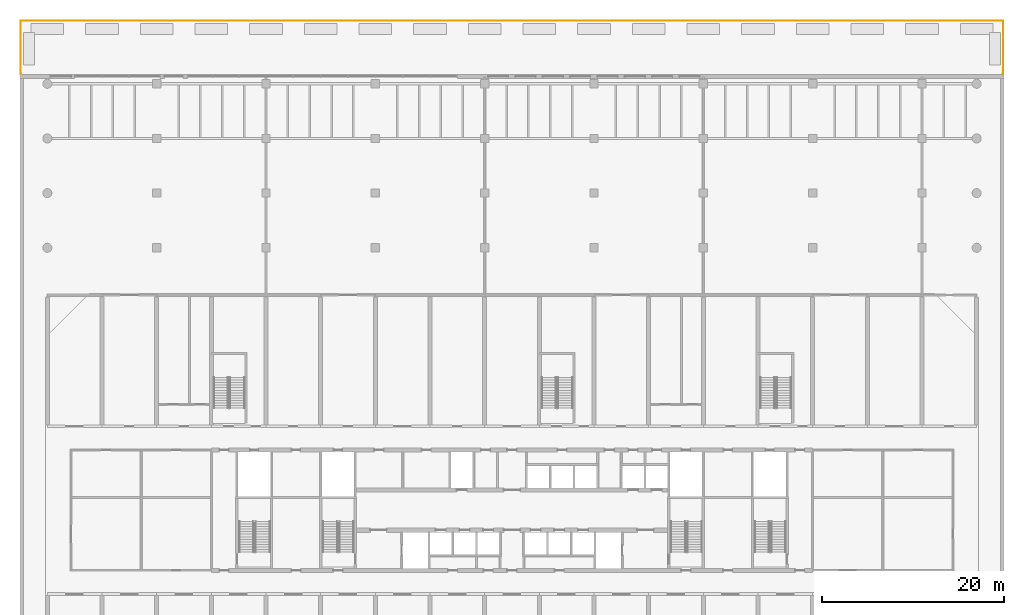
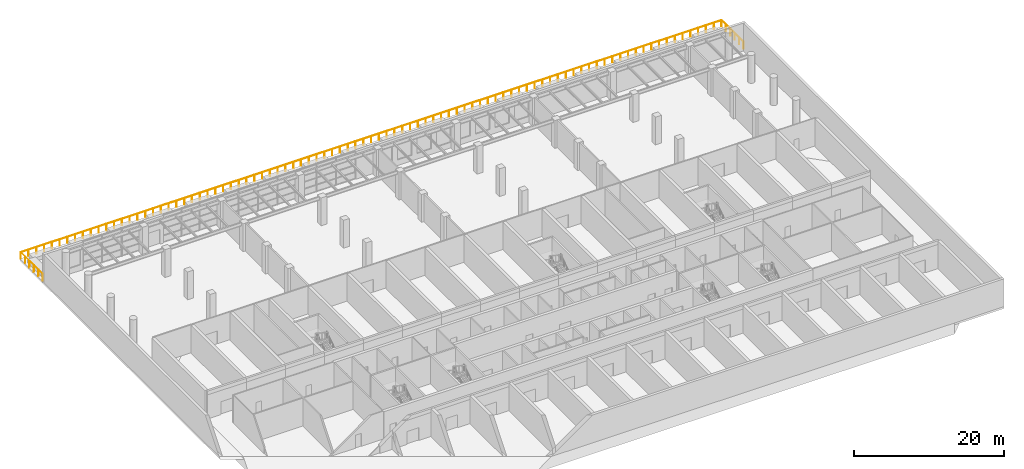
# One storey, part 20 of 20: 1 railing.
"""IFC4 building model written with IfcOpenShell, lengths in metres."""

from ifc_helpers import new_model, si_unit, direction, frame, origin, origin_2d, place, context, subcontext, project, spatial, circle, extrude, material, type_object, element, save


model = new_model("IFC4")

# Units and contexts
model_context = context("Model", 3, precision=1e-05, world=origin(), true_north=direction((0.0, 1.0)))
body_context = subcontext(model_context, "Body", "Model", "MODEL_VIEW")
ifc_project = project(units=[si_unit("LENGTHUNIT", "METRE"), si_unit("AREAUNIT", "SQUARE_METRE"), si_unit("VOLUMEUNIT", "CUBIC_METRE"), si_unit("PLANEANGLEUNIT", "RADIAN"), si_unit("MASSUNIT", "GRAM", prefix="KILO")], contexts=[model_context])

# Site, building, storey
site_placement = place(None, origin())
site = spatial("IfcSite", under=ifc_project, at=site_placement, CompositionType="ELEMENT")
building_placement = place(site_placement, origin())
building = spatial("IfcBuilding", under=site, at=building_placement, Name="Poui Terraces", CompositionType="ELEMENT")
storey_placement = place(building_placement, frame((0.0, 0.0, 6.0)))
storey = spatial("IfcBuildingStorey", under=building, at=storey_placement, Name="L01", CompositionType="ELEMENT", Elevation=6.0)

# Railing
ifc_material = material(Name="Painted steel fretwork", Category="steel")
railing_type = type_object("IfcRailingType", Name="TERRACE GUARD 1100", PredefinedType="GUARDRAIL", material=ifc_material)
railing_placement = place(storey_placement, frame((-2.89990234375, 69.0, 0.0)))
element("IfcRailing", 1, at=railing_placement, inside=storey, type_object=railing_type, Name="TERRACE GUARD", PredefinedType="GUARDRAIL", context=body_context, shape_type="SweptSolid", body=[
    extrude(circle(Radius=0.02392578125, at=origin_2d()), frame((0.0, 0.0, 1.076171875), z_axis=(0.0, 1.0, 0.0), x_axis=(-1.0, 0.0, 0.0)), (0.0, 0.0, 1.0), 0.080078125),
    extrude(circle(Radius=0.02392578125, at=origin_2d()), frame((0.0, 0.080078125, 1.076171875), z_axis=(-1.0, 0.0, 0.0), x_axis=(0.0, -1.0, 0.0)), (0.0, 0.0, 1.0), 0.02001953125),
    extrude(circle(Radius=0.02392578125, at=origin_2d()), frame((-0.02001953125, 0.080078125, 1.076171875), z_axis=(0.0, 1.0, 0.0), x_axis=(-1.0, 0.0, 0.0)), (0.0, 0.0, 1.0), 5.83984375),
    extrude(circle(Radius=0.02392578125, at=origin_2d()), frame((-0.02001953125, 5.919921875, 1.076171875), z_axis=(1.0, 0.0, 0.0), x_axis=(0.0, 1.0, 0.0)), (0.0, 0.0, 1.0), 107.83984375),
    extrude(circle(Radius=0.02392578125, at=origin_2d()), frame((107.81982421875, 5.919921875, 1.076171875), z_axis=(0.0, -1.0, 0.0), x_axis=(1.0, 0.0, 0.0)), (0.0, 0.0, 1.0), 5.83984375),
    extrude(circle(Radius=0.02392578125, at=origin_2d()), frame((107.81982421875, 0.080078125, 1.076171875), z_axis=(-1.0, 0.0, 0.0), x_axis=(0.0, -1.0, 0.0)), (0.0, 0.0, 1.0), 0.02001953125),
    extrude(circle(Radius=0.02392578125, at=origin_2d()), frame((107.7998046875, 0.080078125, 1.076171875), z_axis=(0.0, -1.0, 0.0), x_axis=(1.0, 0.0, 0.0)), (0.0, 0.0, 1.0), 0.080078125),
    extrude(circle(Radius=0.02099609375, at=origin_2d()), origin(), (0.0, 0.0, 1.0), 1.052001953125),
    extrude(circle(Radius=0.02099609375, at=origin_2d()), frame((0.0, 0.080078125, 0.0)), (0.0, 0.0, 1.0), 1.052001953125),
    extrude(circle(Radius=0.02099609375, at=origin_2d()), frame((-0.02001953125, 0.080078125, 0.0)), (0.0, 0.0, 1.0), 1.052001953125),
    extrude(circle(Radius=0.02099609375, at=origin_2d()), frame((-0.02001953125, 1.248046875, 0.0)), (0.0, 0.0, 1.0), 1.052001953125),
    extrude(circle(Radius=0.02099609375, at=origin_2d()), frame((-0.02001953125, 2.416015625, 0.0)), (0.0, 0.0, 1.0), 1.052001953125),
    extrude(circle(Radius=0.02099609375, at=origin_2d()), frame((-0.02001953125, 3.583984375, 0.0)), (0.0, 0.0, 1.0), 1.052001953125),
    extrude(circle(Radius=0.02099609375, at=origin_2d()), frame((-0.02001953125, 4.751953125, 0.0)), (0.0, 0.0, 1.0), 1.052001953125),
    extrude(circle(Radius=0.02099609375, at=origin_2d()), frame((-0.02001953125, 5.919921875, 0.0)), (0.0, 0.0, 1.0), 1.052001953125),
    extrude(circle(Radius=0.02099609375, at=origin_2d()), frame((1.17822265625, 5.919921875, 0.0)), (0.0, 0.0, 1.0), 1.052001953125),
    extrude(circle(Radius=0.02099609375, at=origin_2d()), frame((2.37646484375, 5.919921875, 0.0)), (0.0, 0.0, 1.0), 1.052001953125),
    extrude(circle(Radius=0.02099609375, at=origin_2d()), frame((3.57470703125, 5.919921875, 0.0)), (0.0, 0.0, 1.0), 1.052001953125),
    extrude(circle(Radius=0.02099609375, at=origin_2d()), frame((4.77294921875, 5.919921875, 0.0)), (0.0, 0.0, 1.0), 1.052001953125),
    extrude(circle(Radius=0.02099609375, at=origin_2d()), frame((5.97119140625, 5.919921875, 0.0)), (0.0, 0.0, 1.0), 1.052001953125),
    extrude(circle(Radius=0.02099609375, at=origin_2d()), frame((7.169189453125, 5.919921875, 0.0)), (0.0, 0.0, 1.0), 1.052001953125),
    extrude(circle(Radius=0.02099609375, at=origin_2d()), frame((8.367431640625, 5.919921875, 0.0)), (0.0, 0.0, 1.0), 1.052001953125),
    extrude(circle(Radius=0.02099609375, at=origin_2d()), frame((9.565673828125, 5.919921875, 0.0)), (0.0, 0.0, 1.0), 1.052001953125),
    extrude(circle(Radius=0.02099609375, at=origin_2d()), frame((10.763916015625, 5.919921875, 0.0)), (0.0, 0.0, 1.0), 1.052001953125),
    extrude(circle(Radius=0.02099609375, at=origin_2d()), frame((11.962158203125, 5.919921875, 0.0)), (0.0, 0.0, 1.0), 1.052001953125),
    extrude(circle(Radius=0.02099609375, at=origin_2d()), frame((13.160400390625, 5.919921875, 0.0)), (0.0, 0.0, 1.0), 1.052001953125),
    extrude(circle(Radius=0.02099609375, at=origin_2d()), frame((14.358642578125, 5.919921875, 0.0)), (0.0, 0.0, 1.0), 1.052001953125),
    extrude(circle(Radius=0.02099609375, at=origin_2d()), frame((15.556884765625, 5.919921875, 0.0)), (0.0, 0.0, 1.0), 1.052001953125),
    extrude(circle(Radius=0.02099609375, at=origin_2d()), frame((16.755126953125, 5.919921875, 0.0)), (0.0, 0.0, 1.0), 1.052001953125),
    extrude(circle(Radius=0.02099609375, at=origin_2d()), frame((17.953369140625, 5.919921875, 0.0)), (0.0, 0.0, 1.0), 1.052001953125),
    extrude(circle(Radius=0.02099609375, at=origin_2d()), frame((19.151611328125, 5.919921875, 0.0)), (0.0, 0.0, 1.0), 1.052001953125),
    extrude(circle(Radius=0.02099609375, at=origin_2d()), frame((20.349609375, 5.919921875, 0.0)), (0.0, 0.0, 1.0), 1.052001953125),
    extrude(circle(Radius=0.02099609375, at=origin_2d()), frame((21.5478515625, 5.919921875, 0.0)), (0.0, 0.0, 1.0), 1.052001953125),
    extrude(circle(Radius=0.02099609375, at=origin_2d()), frame((22.74609375, 5.919921875, 0.0)), (0.0, 0.0, 1.0), 1.052001953125),
    extrude(circle(Radius=0.02099609375, at=origin_2d()), frame((23.9443359375, 5.919921875, 0.0)), (0.0, 0.0, 1.0), 1.052001953125),
    extrude(circle(Radius=0.02099609375, at=origin_2d()), frame((25.142578125, 5.919921875, 0.0)), (0.0, 0.0, 1.0), 1.052001953125),
    extrude(circle(Radius=0.02099609375, at=origin_2d()), frame((26.3408203125, 5.919921875, 0.0)), (0.0, 0.0, 1.0), 1.052001953125),
    extrude(circle(Radius=0.02099609375, at=origin_2d()), frame((27.5390625, 5.919921875, 0.0)), (0.0, 0.0, 1.0), 1.052001953125),
    extrude(circle(Radius=0.02099609375, at=origin_2d()), frame((28.7373046875, 5.919921875, 0.0)), (0.0, 0.0, 1.0), 1.052001953125),
    extrude(circle(Radius=0.02099609375, at=origin_2d()), frame((29.935546875, 5.919921875, 0.0)), (0.0, 0.0, 1.0), 1.052001953125),
    extrude(circle(Radius=0.02099609375, at=origin_2d()), frame((31.1337890625, 5.919921875, 0.0)), (0.0, 0.0, 1.0), 1.052001953125),
    extrude(circle(Radius=0.02099609375, at=origin_2d()), frame((32.33203125, 5.919921875, 0.0)), (0.0, 0.0, 1.0), 1.052001953125),
    extrude(circle(Radius=0.02099609375, at=origin_2d()), frame((33.5302734375, 5.919921875, 0.0)), (0.0, 0.0, 1.0), 1.052001953125),
    extrude(circle(Radius=0.02099609375, at=origin_2d()), frame((34.728271484375, 5.919921875, 0.0)), (0.0, 0.0, 1.0), 1.052001953125),
    extrude(circle(Radius=0.02099609375, at=origin_2d()), frame((35.926513671875, 5.919921875, 0.0)), (0.0, 0.0, 1.0), 1.052001953125),
    extrude(circle(Radius=0.02099609375, at=origin_2d()), frame((37.124755859375, 5.919921875, 0.0)), (0.0, 0.0, 1.0), 1.052001953125),
    extrude(circle(Radius=0.02099609375, at=origin_2d()), frame((38.322998046875, 5.919921875, 0.0)), (0.0, 0.0, 1.0), 1.052001953125),
    extrude(circle(Radius=0.02099609375, at=origin_2d()), frame((39.521240234375, 5.919921875, 0.0)), (0.0, 0.0, 1.0), 1.052001953125),
    extrude(circle(Radius=0.02099609375, at=origin_2d()), frame((40.719482421875, 5.919921875, 0.0)), (0.0, 0.0, 1.0), 1.052001953125),
    extrude(circle(Radius=0.02099609375, at=origin_2d()), frame((41.917724609375, 5.919921875, 0.0)), (0.0, 0.0, 1.0), 1.052001953125),
    extrude(circle(Radius=0.02099609375, at=origin_2d()), frame((43.115966796875, 5.919921875, 0.0)), (0.0, 0.0, 1.0), 1.052001953125),
    extrude(circle(Radius=0.02099609375, at=origin_2d()), frame((44.314208984375, 5.919921875, 0.0)), (0.0, 0.0, 1.0), 1.052001953125),
    extrude(circle(Radius=0.02099609375, at=origin_2d()), frame((45.512451171875, 5.919921875, 0.0)), (0.0, 0.0, 1.0), 1.052001953125),
    extrude(circle(Radius=0.02099609375, at=origin_2d()), frame((46.710693359375, 5.919921875, 0.0)), (0.0, 0.0, 1.0), 1.052001953125),
    extrude(circle(Radius=0.02099609375, at=origin_2d()), frame((47.90869140625, 5.919921875, 0.0)), (0.0, 0.0, 1.0), 1.052001953125),
    extrude(circle(Radius=0.02099609375, at=origin_2d()), frame((49.10693359375, 5.919921875, 0.0)), (0.0, 0.0, 1.0), 1.052001953125),
    extrude(circle(Radius=0.02099609375, at=origin_2d()), frame((50.30517578125, 5.919921875, 0.0)), (0.0, 0.0, 1.0), 1.052001953125),
    extrude(circle(Radius=0.02099609375, at=origin_2d()), frame((51.50341796875, 5.919921875, 0.0)), (0.0, 0.0, 1.0), 1.052001953125),
    extrude(circle(Radius=0.02099609375, at=origin_2d()), frame((52.70166015625, 5.919921875, 0.0)), (0.0, 0.0, 1.0), 1.052001953125),
    extrude(circle(Radius=0.02099609375, at=origin_2d()), frame((53.89990234375, 5.919921875, 0.0)), (0.0, 0.0, 1.0), 1.052001953125),
    extrude(circle(Radius=0.02099609375, at=origin_2d()), frame((55.09814453125, 5.919921875, 0.0)), (0.0, 0.0, 1.0), 1.052001953125),
    extrude(circle(Radius=0.02099609375, at=origin_2d()), frame((56.29638671875, 5.919921875, 0.0)), (0.0, 0.0, 1.0), 1.052001953125),
    extrude(circle(Radius=0.02099609375, at=origin_2d()), frame((57.49462890625, 5.919921875, 0.0)), (0.0, 0.0, 1.0), 1.052001953125),
    extrude(circle(Radius=0.02099609375, at=origin_2d()), frame((58.69287109375, 5.919921875, 0.0)), (0.0, 0.0, 1.0), 1.052001953125),
    extrude(circle(Radius=0.02099609375, at=origin_2d()), frame((59.89111328125, 5.919921875, 0.0)), (0.0, 0.0, 1.0), 1.052001953125),
    extrude(circle(Radius=0.02099609375, at=origin_2d()), frame((61.089111328125, 5.919921875, 0.0)), (0.0, 0.0, 1.0), 1.052001953125),
    extrude(circle(Radius=0.02099609375, at=origin_2d()), frame((62.287353515625, 5.919921875, 0.0)), (0.0, 0.0, 1.0), 1.052001953125),
    extrude(circle(Radius=0.02099609375, at=origin_2d()), frame((63.485595703125, 5.919921875, 0.0)), (0.0, 0.0, 1.0), 1.052001953125),
    extrude(circle(Radius=0.02099609375, at=origin_2d()), frame((64.683837890625, 5.919921875, 0.0)), (0.0, 0.0, 1.0), 1.052001953125),
    extrude(circle(Radius=0.02099609375, at=origin_2d()), frame((65.882080078125, 5.919921875, 0.0)), (0.0, 0.0, 1.0), 1.052001953125),
    extrude(circle(Radius=0.02099609375, at=origin_2d()), frame((67.080322265625, 5.919921875, 0.0)), (0.0, 0.0, 1.0), 1.052001953125),
    extrude(circle(Radius=0.02099609375, at=origin_2d()), frame((68.278564453125, 5.919921875, 0.0)), (0.0, 0.0, 1.0), 1.052001953125),
    extrude(circle(Radius=0.02099609375, at=origin_2d()), frame((69.476806640625, 5.919921875, 0.0)), (0.0, 0.0, 1.0), 1.052001953125),
    extrude(circle(Radius=0.02099609375, at=origin_2d()), frame((70.675048828125, 5.919921875, 0.0)), (0.0, 0.0, 1.0), 1.052001953125),
    extrude(circle(Radius=0.02099609375, at=origin_2d()), frame((71.873291015625, 5.919921875, 0.0)), (0.0, 0.0, 1.0), 1.052001953125),
    extrude(circle(Radius=0.02099609375, at=origin_2d()), frame((73.071533203125, 5.919921875, 0.0)), (0.0, 0.0, 1.0), 1.052001953125),
    extrude(circle(Radius=0.02099609375, at=origin_2d()), frame((74.26953125, 5.919921875, 0.0)), (0.0, 0.0, 1.0), 1.052001953125),
    extrude(circle(Radius=0.02099609375, at=origin_2d()), frame((75.4677734375, 5.919921875, 0.0)), (0.0, 0.0, 1.0), 1.052001953125),
    extrude(circle(Radius=0.02099609375, at=origin_2d()), frame((76.666015625, 5.919921875, 0.0)), (0.0, 0.0, 1.0), 1.052001953125),
    extrude(circle(Radius=0.02099609375, at=origin_2d()), frame((77.8642578125, 5.919921875, 0.0)), (0.0, 0.0, 1.0), 1.052001953125),
    extrude(circle(Radius=0.02099609375, at=origin_2d()), frame((79.0625, 5.919921875, 0.0)), (0.0, 0.0, 1.0), 1.052001953125),
    extrude(circle(Radius=0.02099609375, at=origin_2d()), frame((80.2607421875, 5.919921875, 0.0)), (0.0, 0.0, 1.0), 1.052001953125),
    extrude(circle(Radius=0.02099609375, at=origin_2d()), frame((81.458984375, 5.919921875, 0.0)), (0.0, 0.0, 1.0), 1.052001953125),
    extrude(circle(Radius=0.02099609375, at=origin_2d()), frame((82.6572265625, 5.919921875, 0.0)), (0.0, 0.0, 1.0), 1.052001953125),
    extrude(circle(Radius=0.02099609375, at=origin_2d()), frame((83.85546875, 5.919921875, 0.0)), (0.0, 0.0, 1.0), 1.052001953125),
    extrude(circle(Radius=0.02099609375, at=origin_2d()), frame((85.0537109375, 5.919921875, 0.0)), (0.0, 0.0, 1.0), 1.052001953125),
    extrude(circle(Radius=0.02099609375, at=origin_2d()), frame((86.251953125, 5.919921875, 0.0)), (0.0, 0.0, 1.0), 1.052001953125),
    extrude(circle(Radius=0.02099609375, at=origin_2d()), frame((87.4501953125, 5.919921875, 0.0)), (0.0, 0.0, 1.0), 1.052001953125),
    extrude(circle(Radius=0.02099609375, at=origin_2d()), frame((88.648193359375, 5.919921875, 0.0)), (0.0, 0.0, 1.0), 1.052001953125),
    extrude(circle(Radius=0.02099609375, at=origin_2d()), frame((89.846435546875, 5.919921875, 0.0)), (0.0, 0.0, 1.0), 1.052001953125),
    extrude(circle(Radius=0.02099609375, at=origin_2d()), frame((91.044677734375, 5.919921875, 0.0)), (0.0, 0.0, 1.0), 1.052001953125),
    extrude(circle(Radius=0.02099609375, at=origin_2d()), frame((92.242919921875, 5.919921875, 0.0)), (0.0, 0.0, 1.0), 1.052001953125),
    extrude(circle(Radius=0.02099609375, at=origin_2d()), frame((93.441162109375, 5.919921875, 0.0)), (0.0, 0.0, 1.0), 1.052001953125),
    extrude(circle(Radius=0.02099609375, at=origin_2d()), frame((94.639404296875, 5.919921875, 0.0)), (0.0, 0.0, 1.0), 1.052001953125),
    extrude(circle(Radius=0.02099609375, at=origin_2d()), frame((95.837646484375, 5.919921875, 0.0)), (0.0, 0.0, 1.0), 1.052001953125),
    extrude(circle(Radius=0.02099609375, at=origin_2d()), frame((97.035888671875, 5.919921875, 0.0)), (0.0, 0.0, 1.0), 1.052001953125),
    extrude(circle(Radius=0.02099609375, at=origin_2d()), frame((98.234130859375, 5.919921875, 0.0)), (0.0, 0.0, 1.0), 1.052001953125),
    extrude(circle(Radius=0.02099609375, at=origin_2d()), frame((99.432373046875, 5.919921875, 0.0)), (0.0, 0.0, 1.0), 1.052001953125),
    extrude(circle(Radius=0.02099609375, at=origin_2d()), frame((100.630615234375, 5.919921875, 0.0)), (0.0, 0.0, 1.0), 1.052001953125),
    extrude(circle(Radius=0.02099609375, at=origin_2d()), frame((101.82861328125, 5.919921875, 0.0)), (0.0, 0.0, 1.0), 1.052001953125),
    extrude(circle(Radius=0.02099609375, at=origin_2d()), frame((103.02685546875, 5.919921875, 0.0)), (0.0, 0.0, 1.0), 1.052001953125),
    extrude(circle(Radius=0.02099609375, at=origin_2d()), frame((104.22509765625, 5.919921875, 0.0)), (0.0, 0.0, 1.0), 1.052001953125),
    extrude(circle(Radius=0.02099609375, at=origin_2d()), frame((105.42333984375, 5.919921875, 0.0)), (0.0, 0.0, 1.0), 1.052001953125),
    extrude(circle(Radius=0.02099609375, at=origin_2d()), frame((106.62158203125, 5.919921875, 0.0)), (0.0, 0.0, 1.0), 1.052001953125),
    extrude(circle(Radius=0.02099609375, at=origin_2d()), frame((107.81982421875, 5.919921875, 0.0)), (0.0, 0.0, 1.0), 1.052001953125),
    extrude(circle(Radius=0.02099609375, at=origin_2d()), frame((107.81982421875, 4.751953125, 0.0)), (0.0, 0.0, 1.0), 1.052001953125),
    extrude(circle(Radius=0.02099609375, at=origin_2d()), frame((107.81982421875, 3.583984375, 0.0)), (0.0, 0.0, 1.0), 1.052001953125),
    extrude(circle(Radius=0.02099609375, at=origin_2d()), frame((107.81982421875, 2.416015625, 0.0)), (0.0, 0.0, 1.0), 1.052001953125),
    extrude(circle(Radius=0.02099609375, at=origin_2d()), frame((107.81982421875, 1.248046875, 0.0)), (0.0, 0.0, 1.0), 1.052001953125),
    extrude(circle(Radius=0.02099609375, at=origin_2d()), frame((107.81982421875, 0.080078125, 0.0)), (0.0, 0.0, 1.0), 1.052001953125),
    extrude(circle(Radius=0.02099609375, at=origin_2d()), frame((107.7998046875, 0.080078125, 0.0)), (0.0, 0.0, 1.0), 1.052001953125),
    extrude(circle(Radius=0.02099609375, at=origin_2d()), frame((107.7998046875, 0.0, 0.0)), (0.0, 0.0, 1.0), 1.052001953125),
])

save(model, "model.ifc")
